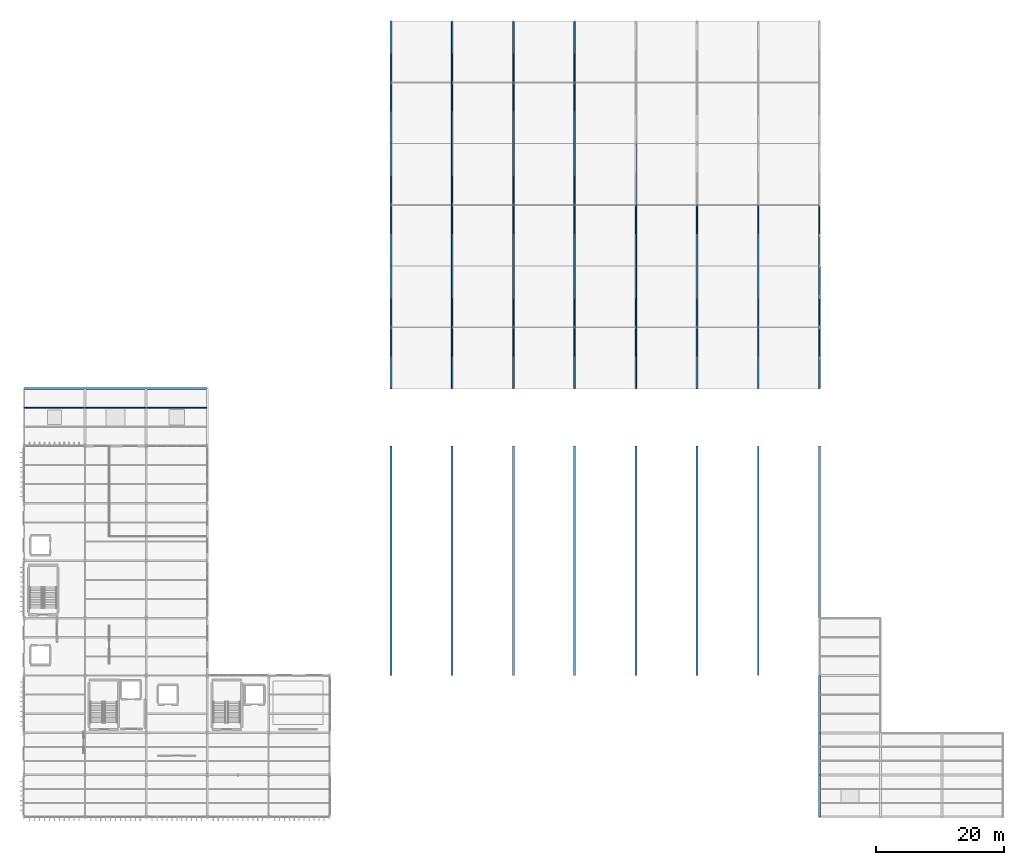
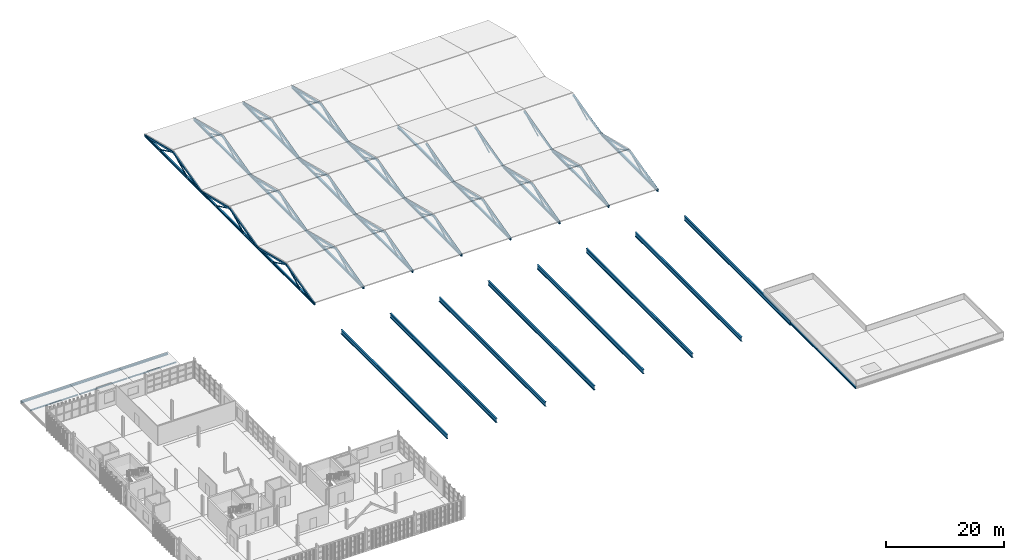
# One storey, part 15 of 52: 72 members, 34 beams.
"""IFC4 building model written with IfcOpenShell, lengths in metres."""

import ifcopenshell
import ifcopenshell.guid

model = None  # the IFC model being written
_history = None  # IfcOwnerHistory: only IFC2X3 demands one
_inside = {}  # id of a spatial element -> (the spatial element, [elements in it])
_under = {}  # id of a project, library or spatial element -> (it, [spatial elements below it])
_declared = {}  # id of a project -> (the project, [libraries it declares])
_typed = {}  # id of a type object -> (the type object, [elements of that type])
_made_of = {}  # id of a material, layer set ... -> (it, [elements and type objects made of it])


def new_model(schema):
    """Start an empty IFC model of exactly this schema.

    Asked for "IFC4X3", IfcOpenShell would pick the latest addendum, in which some entities
    have other attributes; the version numbers below select the first issue.
    IFC2X3 requires an IfcOwnerHistory on every rooted entity: one is made here for all.
    """
    global model, _history
    if schema == "IFC4X3":
        model = ifcopenshell.file(schema_version=(4, 3, 0, 0))
    else:
        model = ifcopenshell.file(schema=schema)
    _inside.clear()
    _under.clear()
    _declared.clear()
    _typed.clear()
    _made_of.clear()
    _history = None
    if model.schema == "IFC2X3":
        org = make("IfcOrganization", Name="unknown")
        user = make(
            "IfcPersonAndOrganization",
            ThePerson=make("IfcPerson", FamilyName="unknown"),
            TheOrganization=org,
        )
        app = make(
            "IfcApplication",
            ApplicationDeveloper=org,
            Version="unknown",
            ApplicationFullName="unknown",
            ApplicationIdentifier="unknown",
        )
        _history = make(
            "IfcOwnerHistory",
            OwningUser=user,
            OwningApplication=app,
            ChangeAction="ADDED",
            CreationDate=0,
        )
    return model


def make(cls, **values):
    """One entity of the class cls with the attributes given. An attribute that is None is left unset."""
    return model.create_entity(
        cls, **{name: value for name, value in values.items() if value is not None}
    )


def rooted(cls, **values):
    """An entity with a GlobalId (a new one), such as an element, a storey or a relation."""
    return make(cls, GlobalId=ifcopenshell.guid.new(), OwnerHistory=_history, **values)


def si_unit(unit_type, name, prefix=None):
    """IfcSIUnit, for example si_unit("LENGTHUNIT", "METRE", prefix="MILLI")."""
    return make("IfcSIUnit", UnitType=unit_type, Prefix=prefix, Name=name)


def assignment(units):
    """IfcUnitAssignment: the units of a project."""
    return None if units is None else make("IfcUnitAssignment", Units=units)


def point(xyz):
    """IfcCartesianPoint."""
    return None if xyz is None else make("IfcCartesianPoint", Coordinates=xyz)


def direction(xyz):
    """IfcDirection."""
    return None if xyz is None else make("IfcDirection", DirectionRatios=xyz)


def frame(location, z_axis=None, x_axis=None):
    """IfcAxis2Placement3D, a coordinate frame: its origin and axes. An axis left out is left unset."""
    return make(
        "IfcAxis2Placement3D",
        Location=point(location),
        Axis=direction(z_axis),
        RefDirection=direction(x_axis),
    )


def frame_2d(location, x_axis=None):
    """IfcAxis2Placement2D, a coordinate frame in the plane: its origin and x axis."""
    return make(
        "IfcAxis2Placement2D", Location=point(location), RefDirection=direction(x_axis)
    )


def origin():
    """The frame at (0, 0, 0) with its axes left unset."""
    return frame((0.0, 0.0, 0.0))


def origin_2d():
    """The frame at (0, 0) in the plane with its x axis left unset."""
    return frame_2d((0.0, 0.0))


def place(relative_to, where):
    """IfcLocalPlacement: puts the frame where relative to a parent placement (None: the world)."""
    return make(
        "IfcLocalPlacement", PlacementRelTo=relative_to, RelativePlacement=where
    )


def context(
    kind, dimensions, precision=None, world=None, true_north=None, identifier=None
):
    """IfcGeometricRepresentationContext, for example the 3D "Model" context."""
    return make(
        "IfcGeometricRepresentationContext",
        ContextIdentifier=identifier,
        ContextType=kind,
        CoordinateSpaceDimension=dimensions,
        Precision=precision,
        WorldCoordinateSystem=world,
        TrueNorth=true_north,
    )


def subcontext(parent, identifier, kind, view, scale=None):
    """IfcGeometricRepresentationSubContext, for example "Body" below "Model"."""
    return make(
        "IfcGeometricRepresentationSubContext",
        ContextIdentifier=identifier,
        ContextType=kind,
        ParentContext=parent,
        TargetScale=scale,
        TargetView=view,
    )


def project(units=None, contexts=None):
    """IfcProject with its units and contexts."""
    return rooted(
        "IfcProject",
        Name="project",
        RepresentationContexts=contexts,
        UnitsInContext=assignment(units),
    )


def spatial(cls, under=None, at=None, **own):
    """A site, building, storey or space (cls), placed at a placement, below another one or the project."""
    s = rooted(cls, ObjectPlacement=at, **own)
    if under is not None:
        _under.setdefault(under.id(), (under, []))[1].append(s)
    return s


def profile(cls, at=None, kind="AREA", **sizes):
    """A parametric profile (cls). Its sizes go by their IFC names, for example OverallWidth=200.0."""
    return make(cls, ProfileType=kind, Position=at, **sizes)


def hollow_rectangle(**sizes):
    """IfcRectangleHollowProfileDef."""
    return profile("IfcRectangleHollowProfileDef", **sizes)


def hollow_circle(**sizes):
    """IfcCircleHollowProfileDef."""
    return profile("IfcCircleHollowProfileDef", **sizes)


def i_section(**sizes):
    """IfcIShapeProfileDef."""
    return profile("IfcIShapeProfileDef", **sizes)


def extrude(swept, where, along, depth):
    """IfcExtrudedAreaSolid: the profile swept, set in the frame where, extruded along a direction by depth."""
    return make(
        "IfcExtrudedAreaSolid",
        SweptArea=swept,
        Position=where,
        ExtrudedDirection=direction(along),
        Depth=depth,
    )


def shape(context_of_items, identifier, shape_type, items):
    """IfcShapeRepresentation: the items that make up one representation, for example the "Body"."""
    return make(
        "IfcShapeRepresentation",
        ContextOfItems=context_of_items,
        RepresentationIdentifier=identifier,
        RepresentationType=shape_type,
        Items=items,
    )


def material(Name=None, Category=None):
    """IfcMaterial."""
    return make("IfcMaterial", Name=Name, Category=Category)


def material_profile(
    of_material, cross_section, Name=None, Category=None, Priority=None
):
    """IfcMaterialProfile: a cross section and its material."""
    return make(
        "IfcMaterialProfile",
        Name=Name,
        Material=of_material,
        Profile=cross_section,
        Priority=Priority,
        Category=Category,
    )


def profile_set(profiles, Name=None, composite=None):
    """IfcMaterialProfileSet."""
    return make(
        "IfcMaterialProfileSet",
        Name=Name,
        MaterialProfiles=profiles,
        CompositeProfile=composite,
    )


def made_of(thing, what):
    """Note that an element or type object is made of a material, layer set ...; save() writes the relation."""
    if what is not None:
        _made_of.setdefault(what.id(), (what, []))[1].append(thing)
    return thing


def type_object(cls, material=None, **own):
    """A type object (cls), such as IfcWallType, which elements share."""
    return made_of(rooted(cls, **own), material)


def element(
    cls,
    number,
    at=None,
    inside=None,
    cuts=None,
    type_object=None,
    material=None,
    context=None,
    identifier="Body",
    shape_type=None,
    held_by="IfcProductDefinitionShape",
    body=None,
    shapes=None,
    **own,
):
    """One element of the class cls, such as IfcWall. Its Tag is "e" and its number.

    at: its placement. inside: the storey or other place that contains it. cuts: it is an
    opening in that element (IfcRelVoidsElement). A single representation is given by context,
    identifier, shape_type and body (its items); several are given by shapes. held_by: the class
    of the entity that holds the representations. save() writes the other relations.
    """
    e = rooted(cls, Tag="e%d" % number, ObjectPlacement=at, **own)
    if body is not None:
        shapes = [shape(context, identifier, shape_type, body)]
    if shapes is not None:
        e.Representation = make(held_by, Representations=shapes)
    if inside is not None:
        _inside.setdefault(inside.id(), (inside, []))[1].append(e)
    if cuts is not None:
        rooted(
            "IfcRelVoidsElement", RelatingBuildingElement=cuts, RelatedOpeningElement=e
        )
    if type_object is not None:
        _typed.setdefault(type_object.id(), (type_object, []))[1].append(e)
    return made_of(e, material)


def aggregate(whole, parts):
    """IfcRelAggregates: a whole, such as a stair, and the parts it consists of."""
    return rooted("IfcRelAggregates", RelatingObject=whole, RelatedObjects=parts)


def save(model, path):
    """Write the relations noted so far, then the file.

    IfcRelAggregates (storeys below a building ...), IfcRelContainedInSpatialStructure (elements
    in a storey), IfcRelDefinesByType, IfcRelAssociatesMaterial and IfcRelDeclares: one each for
    every whole, place, type object, material and project.
    """
    for whole, parts in _under.values():
        aggregate(whole, parts)
    for where, things in _inside.values():
        rooted(
            "IfcRelContainedInSpatialStructure",
            RelatedElements=things,
            RelatingStructure=where,
        )
    for kind, things in _typed.values():
        rooted("IfcRelDefinesByType", RelatedObjects=things, RelatingType=kind)
    for what, things in _made_of.values():
        rooted("IfcRelAssociatesMaterial", RelatedObjects=things, RelatingMaterial=what)
    for by, libraries in _declared.values():
        rooted("IfcRelDeclares", RelatingContext=by, RelatedDefinitions=libraries)
    model.write(path)


model = new_model("IFC4")

# Units and contexts
model_context = context("Model", 3, precision=1e-05, world=origin(), true_north=direction((0.0, 1.0)))
body_context = subcontext(model_context, "Body", "Model", "MODEL_VIEW")
ifc_project = project(units=[si_unit("LENGTHUNIT", "METRE"), si_unit("AREAUNIT", "SQUARE_METRE"), si_unit("VOLUMEUNIT", "CUBIC_METRE"), si_unit("PLANEANGLEUNIT", "RADIAN"), si_unit("MASSUNIT", "GRAM", prefix="KILO")], contexts=[model_context])

# Site, building, storey
site_placement = place(None, origin())
site = spatial("IfcSite", under=ifc_project, at=site_placement, CompositionType="ELEMENT")
building_placement = place(site_placement, origin())
building = spatial("IfcBuilding", under=site, at=building_placement, Name="Zarnetskaya Central Station", CompositionType="ELEMENT")
storey_placement = place(building_placement, frame((0.0, 0.0, 14.39990234375)))
storey = spatial("IfcBuildingStorey", under=building, at=storey_placement, Name="L03", CompositionType="ELEMENT", Elevation=14.39990234375)

# Beams
ifc_material = material(Name="Steel S355", Category="steel")
ifc_material_profile_1 = material_profile(ifc_material, i_section(OverallWidth=0.135009765625, OverallDepth=0.27001953125, WebThickness=0.006591796875, FlangeThickness=0.01025390625, FilletRadius=0.014892578125, at=origin_2d()), Name="IPE 270")
ifc_profile_set_1 = profile_set([ifc_material_profile_1], Name="Steel S355")
beam_type_1 = type_object("IfcBeamType", Name="BM-JST-270", PredefinedType="JOIST", material=ifc_profile_set_1)
beam_1_placement = place(storey_placement, frame((0.080078125, 64.199951171875, -0.344970703125), z_axis=(1.0, 0.0, 0.0), x_axis=(0.0, 1.0, 0.0)))
element("IfcBeam", 1, at=beam_1_placement, inside=storey, type_object=beam_type_1, Name="Secondary floor beam SEC-L03-Z1419-AB-89-2", PredefinedType="JOIST", context=body_context, shape_type="SweptSolid", body=[
    extrude(i_section(OverallWidth=0.135009765625, OverallDepth=0.27001953125, WebThickness=0.006591796875, FlangeThickness=0.01025390625, FilletRadius=0.014892578125, at=origin_2d()), origin(), (0.0, 0.0, 1.0), 9.43994140625),
])
beam_2_placement = place(storey_placement, frame((9.679931640625, 64.199951171875, -0.344970703125), z_axis=(1.0, 0.0, 0.0), x_axis=(0.0, 1.0, 0.0)))
element("IfcBeam", 2, at=beam_2_placement, inside=storey, type_object=beam_type_1, Name="Secondary floor beam SEC-L03-Z1419-BC-89-2", PredefinedType="JOIST", context=body_context, shape_type="SweptSolid", body=[
    extrude(i_section(OverallWidth=0.135009765625, OverallDepth=0.27001953125, WebThickness=0.006591796875, FlangeThickness=0.01025390625, FilletRadius=0.014892578125, at=origin_2d()), origin(), (0.0, 0.0, 1.0), 9.440185546875),
])
beam_3_placement = place(storey_placement, frame((19.280029296875, 64.199951171875, -0.344970703125), z_axis=(1.0, 0.0, 0.0), x_axis=(0.0, 1.0, 0.0)))
element("IfcBeam", 3, at=beam_3_placement, inside=storey, type_object=beam_type_1, Name="Secondary floor beam SEC-L03-Z1419-CD-89-2", PredefinedType="JOIST", context=body_context, shape_type="SweptSolid", body=[
    extrude(i_section(OverallWidth=0.135009765625, OverallDepth=0.27001953125, WebThickness=0.006591796875, FlangeThickness=0.01025390625, FilletRadius=0.014892578125, at=origin_2d()), origin(), (0.0, 0.0, 1.0), 9.43994140625),
])
ifc_material_profile_2 = material_profile(ifc_material, i_section(OverallWidth=0.300048828125, OverallDepth=0.89990234375, WebThickness=0.0185546875, FlangeThickness=0.034912109375, FilletRadius=0.030029296875, at=origin_2d()), Name="HEB 900")
ifc_profile_set_2 = profile_set([ifc_material_profile_2], Name="Steel S355")
beam_type_2 = type_object("IfcBeamType", Name="GD-HALL-RING", PredefinedType="USERDEFINED", material=ifc_profile_set_2)
for number, where, z_axis, x_axis, name in (
    (4, (57.60009765625, 22.199951171875, -0.449951171875), (0.0, 1.0, 0.0), (-1.0, 0.0, 0.0), "ROOF TRUSS RT-01 tie girder"),
    (5, (67.199951171875, 22.199951171875, -0.449951171875), (0.0, 1.0, 0.0), (-1.0, 0.0, 0.0), "ROOF TRUSS RT-02 tie girder"),
    (6, (76.800048828125, 22.199951171875, -0.449951171875), (0.0, 1.0, 0.0), (-1.0, 0.0, 0.0), "ROOF TRUSS RT-03 tie girder"),
    (7, (86.39990234375, 22.199951171875, -0.449951171875), (0.0, 1.0, 0.0), (-1.0, 0.0, 0.0), "ROOF TRUSS RT-04 tie girder"),
    (8, (96.0, 22.199951171875, -0.449951171875), (0.0, 1.0, 0.0), (-1.0, 0.0, 0.0), "ROOF TRUSS RT-05 tie girder"),
    (9, (105.60009765625, 22.199951171875, -0.449951171875), (0.0, 1.0, 0.0), (-1.0, 0.0, 0.0), "ROOF TRUSS RT-06 tie girder"),
    (10, (115.199951171875, 22.199951171875, -0.449951171875), (0.0, 1.0, 0.0), (-1.0, 0.0, 0.0), "ROOF TRUSS RT-07 tie girder"),
    (11, (124.800048828125, 22.199951171875, -0.449951171875), (0.0, 1.0, 0.0), (-1.0, 0.0, 0.0), "ROOF TRUSS RT-08 tie girder"),
):
    element("IfcBeam", number, at=place(storey_placement, frame(where, z_axis=z_axis, x_axis=x_axis)), inside=storey, type_object=beam_type_2, Name=name, ObjectType="GIRDER", PredefinedType="USERDEFINED", context=body_context, shape_type="SweptSolid", body=[
        extrude(i_section(OverallWidth=0.300048828125, OverallDepth=0.89990234375, WebThickness=0.0185546875, FlangeThickness=0.034912109375, FilletRadius=0.030029296875, at=origin_2d()), origin(), (0.0, 0.0, 1.0), 36.0),
    ])
ifc_material_profile_3 = material_profile(ifc_material, i_section(OverallWidth=0.300048828125, OverallDepth=0.389892578125, WebThickness=0.010986328125, FlangeThickness=0.01904296875, FilletRadius=0.027099609375, at=origin_2d()), Name="HEA 400")
ifc_profile_set_3 = profile_set([ifc_material_profile_3], Name="Steel S355")
beam_type_3 = type_object("IfcBeamType", Name="GD-ROOF-400", PredefinedType="USERDEFINED", material=ifc_profile_set_3)
beam_4_placement = place(storey_placement, frame((0.0, 67.199951171875, -0.40478515625), z_axis=(1.0, 0.0, 0.0), x_axis=(0.0, 1.0, 0.0)))
element("IfcBeam", 12, at=beam_4_placement, inside=storey, type_object=beam_type_3, Name="Grid girder GX-L03-9-AB", ObjectType="GIRDER", PredefinedType="USERDEFINED", context=body_context, shape_type="SweptSolid", body=[
    extrude(i_section(OverallWidth=0.300048828125, OverallDepth=0.389892578125, WebThickness=0.010986328125, FlangeThickness=0.01904296875, FilletRadius=0.027099609375, at=origin_2d()), origin(), (0.0, 0.0, 1.0), 9.60009765625),
])
beam_5_placement = place(storey_placement, frame((9.60009765625, 67.199951171875, -0.40478515625), z_axis=(1.0, 0.0, 0.0), x_axis=(0.0, 1.0, 0.0)))
element("IfcBeam", 13, at=beam_5_placement, inside=storey, type_object=beam_type_3, Name="Grid girder GX-L03-9-BC", ObjectType="GIRDER", PredefinedType="USERDEFINED", context=body_context, shape_type="SweptSolid", body=[
    extrude(i_section(OverallWidth=0.300048828125, OverallDepth=0.389892578125, WebThickness=0.010986328125, FlangeThickness=0.01904296875, FilletRadius=0.027099609375, at=origin_2d()), origin(), (0.0, 0.0, 1.0), 9.599853515625),
])
beam_6_placement = place(storey_placement, frame((19.199951171875, 67.199951171875, -0.40478515625), z_axis=(1.0, 0.0, 0.0), x_axis=(0.0, 1.0, 0.0)))
element("IfcBeam", 14, at=beam_6_placement, inside=storey, type_object=beam_type_3, Name="Grid girder GX-L03-9-CD", ObjectType="GIRDER", PredefinedType="USERDEFINED", context=body_context, shape_type="SweptSolid", body=[
    extrude(i_section(OverallWidth=0.300048828125, OverallDepth=0.389892578125, WebThickness=0.010986328125, FlangeThickness=0.01904296875, FilletRadius=0.027099609375, at=origin_2d()), origin(), (0.0, 0.0, 1.0), 9.60009765625),
])
beam_7_placement = place(storey_placement, frame((124.800048828125, 0.0, -0.40478515625), z_axis=(0.0, 1.0, 0.0), x_axis=(-1.0, 0.0, 0.0)))
element("IfcBeam", 15, at=beam_7_placement, inside=storey, type_object=beam_type_3, Name="Grid girder GY-L03-P-12", ObjectType="GIRDER", PredefinedType="USERDEFINED", context=body_context, shape_type="SweptSolid", body=[
    extrude(i_section(OverallWidth=0.300048828125, OverallDepth=0.389892578125, WebThickness=0.010986328125, FlangeThickness=0.01904296875, FilletRadius=0.027099609375, at=origin_2d()), origin(), (0.0, 0.0, 1.0), 6.60009765625),
])
beam_8_placement = place(storey_placement, frame((124.800048828125, 6.60009765625, -0.40478515625), z_axis=(0.0, 1.0, 0.0), x_axis=(-1.0, 0.0, 0.0)))
element("IfcBeam", 16, at=beam_8_placement, inside=storey, type_object=beam_type_3, Name="Grid girder GY-L03-P-23", ObjectType="GIRDER", PredefinedType="USERDEFINED", context=body_context, shape_type="SweptSolid", body=[
    extrude(i_section(OverallWidth=0.300048828125, OverallDepth=0.389892578125, WebThickness=0.010986328125, FlangeThickness=0.01904296875, FilletRadius=0.027099609375, at=origin_2d()), origin(), (0.0, 0.0, 1.0), 6.599853515625),
])
beam_9_placement = place(storey_placement, frame((124.800048828125, 13.199951171875, -0.40478515625), z_axis=(0.0, 1.0, 0.0), x_axis=(-1.0, 0.0, 0.0)))
element("IfcBeam", 17, at=beam_9_placement, inside=storey, type_object=beam_type_3, Name="Grid girder GY-L03-P-34", ObjectType="GIRDER", PredefinedType="USERDEFINED", context=body_context, shape_type="SweptSolid", body=[
    extrude(i_section(OverallWidth=0.300048828125, OverallDepth=0.389892578125, WebThickness=0.010986328125, FlangeThickness=0.01904296875, FilletRadius=0.027099609375, at=origin_2d()), origin(), (0.0, 0.0, 1.0), 9.0),
])
ifc_material_profile_4 = material_profile(ifc_material, i_section(OverallWidth=0.300048828125, OverallDepth=0.489990234375, WebThickness=0.011962890625, FlangeThickness=0.02294921875, FilletRadius=0.027099609375, at=origin_2d()), Name="HEA 500")
ifc_profile_set_4 = profile_set([ifc_material_profile_4], Name="Steel S355")
beam_type_4 = type_object("IfcBeamType", Name="GD-SHED-500", PredefinedType="USERDEFINED", material=ifc_profile_set_4)
for number, where, z_axis, x_axis, name in (
    (18, (57.60009765625, 67.199951171875, -0.25), (0.0, 1.0, 0.0), (-1.0, 0.0, 0.0), "ROOF TRUSS SHED-SV1-01 tie beam"),
    (19, (67.199951171875, 67.199951171875, -0.25), (0.0, 1.0, 0.0), (-1.0, 0.0, 0.0), "ROOF TRUSS SHED-SV1-02 tie beam"),
    (20, (76.800048828125, 67.199951171875, -0.25), (0.0, 1.0, 0.0), (-1.0, 0.0, 0.0), "ROOF TRUSS SHED-SV1-03 tie beam"),
    (21, (86.39990234375, 67.199951171875, -0.25), (0.0, 1.0, 0.0), (-1.0, 0.0, 0.0), "ROOF TRUSS SHED-SV1-04 tie beam"),
    (22, (96.0, 67.199951171875, -0.25), (0.0, 1.0, 0.0), (-1.0, 0.0, 0.0), "ROOF TRUSS SHED-SV1-05 tie beam"),
    (23, (105.60009765625, 67.199951171875, -0.25), (0.0, 1.0, 0.0), (-1.0, 0.0, 0.0), "ROOF TRUSS SHED-SV1-06 tie beam"),
    (24, (115.199951171875, 67.199951171875, -0.25), (0.0, 1.0, 0.0), (-1.0, 0.0, 0.0), "ROOF TRUSS SHED-SV1-07 tie beam"),
    (25, (124.800048828125, 67.199951171875, -0.25), (0.0, 1.0, 0.0), (-1.0, 0.0, 0.0), "ROOF TRUSS SHED-SV1-08 tie beam"),
):
    element("IfcBeam", number, at=place(storey_placement, frame(where, z_axis=z_axis, x_axis=x_axis)), inside=storey, type_object=beam_type_4, Name=name, ObjectType="GIRDER", PredefinedType="USERDEFINED", context=body_context, shape_type="SweptSolid", body=[
        extrude(i_section(OverallWidth=0.300048828125, OverallDepth=0.489990234375, WebThickness=0.011962890625, FlangeThickness=0.02294921875, FilletRadius=0.027099609375, at=origin_2d()), origin(), (0.0, 0.0, 1.0), 19.199951171875),
    ])
for number, where, z_axis, x_axis, name in (
    (26, (57.60009765625, 86.39990234375, -0.25), (0.0, 1.0, 0.0), (-1.0, 0.0, 0.0), "ROOF TRUSS SHED-SV2-01 tie beam"),
    (27, (67.199951171875, 86.39990234375, -0.25), (0.0, 1.0, 0.0), (-1.0, 0.0, 0.0), "ROOF TRUSS SHED-SV2-02 tie beam"),
    (28, (76.800048828125, 86.39990234375, -0.25), (0.0, 1.0, 0.0), (-1.0, 0.0, 0.0), "ROOF TRUSS SHED-SV2-03 tie beam"),
    (29, (86.39990234375, 86.39990234375, -0.25), (0.0, 1.0, 0.0), (-1.0, 0.0, 0.0), "ROOF TRUSS SHED-SV2-04 tie beam"),
    (30, (96.0, 86.39990234375, -0.25), (0.0, 1.0, 0.0), (-1.0, 0.0, 0.0), "ROOF TRUSS SHED-SV2-05 tie beam"),
):
    element("IfcBeam", number, at=place(storey_placement, frame(where, z_axis=z_axis, x_axis=x_axis)), inside=storey, type_object=beam_type_4, Name=name, ObjectType="GIRDER", PredefinedType="USERDEFINED", context=body_context, shape_type="SweptSolid", body=[
        extrude(i_section(OverallWidth=0.300048828125, OverallDepth=0.489990234375, WebThickness=0.011962890625, FlangeThickness=0.02294921875, FilletRadius=0.027099609375, at=origin_2d()), origin(), (0.0, 0.0, 1.0), 19.2001953125),
    ])
for number, where, z_axis, x_axis, name in (
    (31, (57.60009765625, 105.60009765625, -0.25), (0.0, 1.0, 0.0), (-1.0, 0.0, 0.0), "ROOF TRUSS SHED-SV3-01 tie beam"),
    (32, (67.199951171875, 105.60009765625, -0.25), (0.0, 1.0, 0.0), (-1.0, 0.0, 0.0), "ROOF TRUSS SHED-SV3-02 tie beam"),
    (33, (76.800048828125, 105.60009765625, -0.25), (0.0, 1.0, 0.0), (-1.0, 0.0, 0.0), "ROOF TRUSS SHED-SV3-03 tie beam"),
    (34, (86.39990234375, 105.60009765625, -0.25), (0.0, 1.0, 0.0), (-1.0, 0.0, 0.0), "ROOF TRUSS SHED-SV3-04 tie beam"),
):
    element("IfcBeam", number, at=place(storey_placement, frame(where, z_axis=z_axis, x_axis=x_axis)), inside=storey, type_object=beam_type_4, Name=name, ObjectType="GIRDER", PredefinedType="USERDEFINED", context=body_context, shape_type="SweptSolid", body=[
        extrude(i_section(OverallWidth=0.300048828125, OverallDepth=0.489990234375, WebThickness=0.011962890625, FlangeThickness=0.02294921875, FilletRadius=0.027099609375, at=origin_2d()), origin(), (0.0, 0.0, 1.0), 19.199951171875),
    ])

# Members
ifc_material_profile_5 = material_profile(ifc_material, hollow_rectangle(XDim=0.25, YDim=0.35009765625, WallThickness=0.01611328125, at=origin_2d()), Name="RHS 350x250x16")
ifc_profile_set_5 = profile_set([ifc_material_profile_5], Name="Steel S355")
member_type_1 = type_object("IfcMemberType", Name="MB-SHED-CHORD", PredefinedType="CHORD", material=ifc_profile_set_5)
member_1_placement = place(storey_placement, frame((57.60009765625, 67.199951171875, -0.25), z_axis=(0.0, 0.972478594308, 0.232992239382), x_axis=(-1.0, 0.0, 0.0)))
element("IfcMember", 35, at=member_1_placement, inside=storey, type_object=member_type_1, Name="ROOF TRUSS SHED-SV1-01 south chord", PredefinedType="CHORD", context=body_context, shape_type="SweptSolid", body=[
    extrude(hollow_rectangle(XDim=0.25, YDim=0.35009765625, WallThickness=0.01611328125, at=origin_2d()), origin(), (0.0, 0.0, 1.0), 9.871826171875),
])
member_2_placement = place(storey_placement, frame((57.60009765625, 76.800048828125, 2.050048828125), z_axis=(0.0, 0.972477251719, -0.232997843098), x_axis=(-1.0, 0.0, 0.0)))
element("IfcMember", 36, at=member_2_placement, inside=storey, type_object=member_type_1, Name="ROOF TRUSS SHED-SV1-01 north chord", PredefinedType="CHORD", context=body_context, shape_type="SweptSolid", body=[
    extrude(hollow_rectangle(XDim=0.25, YDim=0.35009765625, WallThickness=0.01611328125, at=origin_2d()), origin(), (0.0, 0.0, 1.0), 9.87158203125),
])
member_3_placement = place(storey_placement, frame((67.199951171875, 67.199951171875, -0.25), z_axis=(0.0, 0.972478594308, 0.232992239382), x_axis=(-1.0, 0.0, 0.0)))
element("IfcMember", 37, at=member_3_placement, inside=storey, type_object=member_type_1, Name="ROOF TRUSS SHED-SV1-02 south chord", PredefinedType="CHORD", context=body_context, shape_type="SweptSolid", body=[
    extrude(hollow_rectangle(XDim=0.25, YDim=0.35009765625, WallThickness=0.01611328125, at=origin_2d()), origin(), (0.0, 0.0, 1.0), 9.871826171875),
])
member_4_placement = place(storey_placement, frame((67.199951171875, 76.800048828125, 2.050048828125), z_axis=(0.0, 0.972477251719, -0.232997843098), x_axis=(-1.0, 0.0, 0.0)))
element("IfcMember", 38, at=member_4_placement, inside=storey, type_object=member_type_1, Name="ROOF TRUSS SHED-SV1-02 north chord", PredefinedType="CHORD", context=body_context, shape_type="SweptSolid", body=[
    extrude(hollow_rectangle(XDim=0.25, YDim=0.35009765625, WallThickness=0.01611328125, at=origin_2d()), origin(), (0.0, 0.0, 1.0), 9.87158203125),
])
member_5_placement = place(storey_placement, frame((76.800048828125, 67.199951171875, -0.25), z_axis=(0.0, 0.972478594308, 0.232992239382), x_axis=(-1.0, 0.0, 0.0)))
element("IfcMember", 39, at=member_5_placement, inside=storey, type_object=member_type_1, Name="ROOF TRUSS SHED-SV1-03 south chord", PredefinedType="CHORD", context=body_context, shape_type="SweptSolid", body=[
    extrude(hollow_rectangle(XDim=0.25, YDim=0.35009765625, WallThickness=0.01611328125, at=origin_2d()), origin(), (0.0, 0.0, 1.0), 9.871826171875),
])
member_6_placement = place(storey_placement, frame((76.800048828125, 76.800048828125, 2.050048828125), z_axis=(0.0, 0.972477251719, -0.232997843098), x_axis=(-1.0, 0.0, 0.0)))
element("IfcMember", 40, at=member_6_placement, inside=storey, type_object=member_type_1, Name="ROOF TRUSS SHED-SV1-03 north chord", PredefinedType="CHORD", context=body_context, shape_type="SweptSolid", body=[
    extrude(hollow_rectangle(XDim=0.25, YDim=0.35009765625, WallThickness=0.01611328125, at=origin_2d()), origin(), (0.0, 0.0, 1.0), 9.87158203125),
])
member_7_placement = place(storey_placement, frame((86.39990234375, 67.199951171875, -0.25), z_axis=(0.0, 0.972478594308, 0.232992239382), x_axis=(-1.0, 0.0, 0.0)))
element("IfcMember", 41, at=member_7_placement, inside=storey, type_object=member_type_1, Name="ROOF TRUSS SHED-SV1-04 south chord", PredefinedType="CHORD", context=body_context, shape_type="SweptSolid", body=[
    extrude(hollow_rectangle(XDim=0.25, YDim=0.35009765625, WallThickness=0.01611328125, at=origin_2d()), origin(), (0.0, 0.0, 1.0), 9.871826171875),
])
member_8_placement = place(storey_placement, frame((86.39990234375, 76.800048828125, 2.050048828125), z_axis=(0.0, 0.972477251719, -0.232997843098), x_axis=(-1.0, 0.0, 0.0)))
element("IfcMember", 42, at=member_8_placement, inside=storey, type_object=member_type_1, Name="ROOF TRUSS SHED-SV1-04 north chord", PredefinedType="CHORD", context=body_context, shape_type="SweptSolid", body=[
    extrude(hollow_rectangle(XDim=0.25, YDim=0.35009765625, WallThickness=0.01611328125, at=origin_2d()), origin(), (0.0, 0.0, 1.0), 9.87158203125),
])
member_9_placement = place(storey_placement, frame((96.0, 67.199951171875, -0.25), z_axis=(0.0, 0.972478594308, 0.232992239382), x_axis=(-1.0, 0.0, 0.0)))
element("IfcMember", 43, at=member_9_placement, inside=storey, type_object=member_type_1, Name="ROOF TRUSS SHED-SV1-05 south chord", PredefinedType="CHORD", context=body_context, shape_type="SweptSolid", body=[
    extrude(hollow_rectangle(XDim=0.25, YDim=0.35009765625, WallThickness=0.01611328125, at=origin_2d()), origin(), (0.0, 0.0, 1.0), 9.871826171875),
])
member_10_placement = place(storey_placement, frame((96.0, 76.800048828125, 2.050048828125), z_axis=(0.0, 0.972477251719, -0.232997843098), x_axis=(-1.0, 0.0, 0.0)))
element("IfcMember", 44, at=member_10_placement, inside=storey, type_object=member_type_1, Name="ROOF TRUSS SHED-SV1-05 north chord", PredefinedType="CHORD", context=body_context, shape_type="SweptSolid", body=[
    extrude(hollow_rectangle(XDim=0.25, YDim=0.35009765625, WallThickness=0.01611328125, at=origin_2d()), origin(), (0.0, 0.0, 1.0), 9.87158203125),
])
member_11_placement = place(storey_placement, frame((105.60009765625, 67.199951171875, -0.25), z_axis=(0.0, 0.972478594308, 0.232992239382), x_axis=(-1.0, 0.0, 0.0)))
element("IfcMember", 45, at=member_11_placement, inside=storey, type_object=member_type_1, Name="ROOF TRUSS SHED-SV1-06 south chord", PredefinedType="CHORD", context=body_context, shape_type="SweptSolid", body=[
    extrude(hollow_rectangle(XDim=0.25, YDim=0.35009765625, WallThickness=0.01611328125, at=origin_2d()), origin(), (0.0, 0.0, 1.0), 9.871826171875),
])
member_12_placement = place(storey_placement, frame((105.60009765625, 76.800048828125, 2.050048828125), z_axis=(0.0, 0.972477251719, -0.232997843098), x_axis=(-1.0, 0.0, 0.0)))
element("IfcMember", 46, at=member_12_placement, inside=storey, type_object=member_type_1, Name="ROOF TRUSS SHED-SV1-06 north chord", PredefinedType="CHORD", context=body_context, shape_type="SweptSolid", body=[
    extrude(hollow_rectangle(XDim=0.25, YDim=0.35009765625, WallThickness=0.01611328125, at=origin_2d()), origin(), (0.0, 0.0, 1.0), 9.87158203125),
])
member_13_placement = place(storey_placement, frame((115.199951171875, 67.199951171875, -0.25), z_axis=(0.0, 0.972478594308, 0.232992239382), x_axis=(-1.0, 0.0, 0.0)))
element("IfcMember", 47, at=member_13_placement, inside=storey, type_object=member_type_1, Name="ROOF TRUSS SHED-SV1-07 south chord", PredefinedType="CHORD", context=body_context, shape_type="SweptSolid", body=[
    extrude(hollow_rectangle(XDim=0.25, YDim=0.35009765625, WallThickness=0.01611328125, at=origin_2d()), origin(), (0.0, 0.0, 1.0), 9.871826171875),
])
member_14_placement = place(storey_placement, frame((115.199951171875, 76.800048828125, 2.050048828125), z_axis=(0.0, 0.972477251719, -0.232997843098), x_axis=(-1.0, 0.0, 0.0)))
element("IfcMember", 48, at=member_14_placement, inside=storey, type_object=member_type_1, Name="ROOF TRUSS SHED-SV1-07 north chord", PredefinedType="CHORD", context=body_context, shape_type="SweptSolid", body=[
    extrude(hollow_rectangle(XDim=0.25, YDim=0.35009765625, WallThickness=0.01611328125, at=origin_2d()), origin(), (0.0, 0.0, 1.0), 9.87158203125),
])
member_15_placement = place(storey_placement, frame((124.800048828125, 67.199951171875, -0.25), z_axis=(0.0, 0.972478594308, 0.232992239382), x_axis=(-1.0, 0.0, 0.0)))
element("IfcMember", 49, at=member_15_placement, inside=storey, type_object=member_type_1, Name="ROOF TRUSS SHED-SV1-08 south chord", PredefinedType="CHORD", context=body_context, shape_type="SweptSolid", body=[
    extrude(hollow_rectangle(XDim=0.25, YDim=0.35009765625, WallThickness=0.01611328125, at=origin_2d()), origin(), (0.0, 0.0, 1.0), 9.871826171875),
])
member_16_placement = place(storey_placement, frame((124.800048828125, 76.800048828125, 2.050048828125), z_axis=(0.0, 0.972477251719, -0.232997843098), x_axis=(-1.0, 0.0, 0.0)))
element("IfcMember", 50, at=member_16_placement, inside=storey, type_object=member_type_1, Name="ROOF TRUSS SHED-SV1-08 north chord", PredefinedType="CHORD", context=body_context, shape_type="SweptSolid", body=[
    extrude(hollow_rectangle(XDim=0.25, YDim=0.35009765625, WallThickness=0.01611328125, at=origin_2d()), origin(), (0.0, 0.0, 1.0), 9.87158203125),
])
for number, where, z_axis, x_axis, name in (
    (51, (57.60009765625, 86.39990234375, -0.25), (0.0, 0.972478594308, 0.232992239382), (-1.0, 0.0, 0.0), "ROOF TRUSS SHED-SV2-01 south chord"),
    (52, (57.60009765625, 96.0, 2.050048828125), (0.0, 0.972478594308, -0.232992239382), (-1.0, 0.0, 0.0), "ROOF TRUSS SHED-SV2-01 north chord"),
    (53, (67.199951171875, 86.39990234375, -0.25), (0.0, 0.972478594308, 0.232992239382), (-1.0, 0.0, 0.0), "ROOF TRUSS SHED-SV2-02 south chord"),
    (54, (67.199951171875, 96.0, 2.050048828125), (0.0, 0.972478594308, -0.232992239382), (-1.0, 0.0, 0.0), "ROOF TRUSS SHED-SV2-02 north chord"),
    (55, (76.800048828125, 86.39990234375, -0.25), (0.0, 0.972478594308, 0.232992239382), (-1.0, 0.0, 0.0), "ROOF TRUSS SHED-SV2-03 south chord"),
    (56, (76.800048828125, 96.0, 2.050048828125), (0.0, 0.972478594308, -0.232992239382), (-1.0, 0.0, 0.0), "ROOF TRUSS SHED-SV2-03 north chord"),
    (57, (86.39990234375, 86.39990234375, -0.25), (0.0, 0.972478594308, 0.232992239382), (-1.0, 0.0, 0.0), "ROOF TRUSS SHED-SV2-04 south chord"),
    (58, (86.39990234375, 96.0, 2.050048828125), (0.0, 0.972478594308, -0.232992239382), (-1.0, 0.0, 0.0), "ROOF TRUSS SHED-SV2-04 north chord"),
    (59, (96.0, 86.39990234375, -0.25), (0.0, 0.972478594308, 0.232992239382), (-1.0, 0.0, 0.0), "ROOF TRUSS SHED-SV2-05 south chord"),
    (60, (105.60009765625, 86.39990234375, -0.25), (0.0, 0.972478594308, 0.232992239382), (-1.0, 0.0, 0.0), "ROOF TRUSS SHED-SV2-06 south chord"),
    (61, (115.199951171875, 86.39990234375, -0.25), (0.0, 0.972478594308, 0.232992239382), (-1.0, 0.0, 0.0), "ROOF TRUSS SHED-SV2-07 south chord"),
    (62, (124.800048828125, 86.39990234375, -0.25), (0.0, 0.972478594308, 0.232992239382), (-1.0, 0.0, 0.0), "ROOF TRUSS SHED-SV2-08 south chord"),
):
    element("IfcMember", number, at=place(storey_placement, frame(where, z_axis=z_axis, x_axis=x_axis)), inside=storey, type_object=member_type_1, Name=name, PredefinedType="CHORD", context=body_context, shape_type="SweptSolid", body=[
        extrude(hollow_rectangle(XDim=0.25, YDim=0.35009765625, WallThickness=0.01611328125, at=origin_2d()), origin(), (0.0, 0.0, 1.0), 9.871826171875),
    ])
member_17_placement = place(storey_placement, frame((57.60009765625, 105.60009765625, -0.25), z_axis=(0.0, 0.972477251719, 0.232997843098), x_axis=(-1.0, 0.0, 0.0)))
element("IfcMember", 63, at=member_17_placement, inside=storey, type_object=member_type_1, Name="ROOF TRUSS SHED-SV3-01 south chord", PredefinedType="CHORD", context=body_context, shape_type="SweptSolid", body=[
    extrude(hollow_rectangle(XDim=0.25, YDim=0.35009765625, WallThickness=0.01611328125, at=origin_2d()), origin(), (0.0, 0.0, 1.0), 9.87158203125),
])
member_18_placement = place(storey_placement, frame((57.60009765625, 115.199951171875, 2.050048828125), z_axis=(0.0, 0.972478594308, -0.232992239382), x_axis=(-1.0, 0.0, 0.0)))
element("IfcMember", 64, at=member_18_placement, inside=storey, type_object=member_type_1, Name="ROOF TRUSS SHED-SV3-01 north chord", PredefinedType="CHORD", context=body_context, shape_type="SweptSolid", body=[
    extrude(hollow_rectangle(XDim=0.25, YDim=0.35009765625, WallThickness=0.01611328125, at=origin_2d()), origin(), (0.0, 0.0, 1.0), 9.871826171875),
])
member_19_placement = place(storey_placement, frame((67.199951171875, 105.60009765625, -0.25), z_axis=(0.0, 0.972477251719, 0.232997843098), x_axis=(-1.0, 0.0, 0.0)))
element("IfcMember", 65, at=member_19_placement, inside=storey, type_object=member_type_1, Name="ROOF TRUSS SHED-SV3-02 south chord", PredefinedType="CHORD", context=body_context, shape_type="SweptSolid", body=[
    extrude(hollow_rectangle(XDim=0.25, YDim=0.35009765625, WallThickness=0.01611328125, at=origin_2d()), origin(), (0.0, 0.0, 1.0), 9.87158203125),
])
member_20_placement = place(storey_placement, frame((67.199951171875, 115.199951171875, 2.050048828125), z_axis=(0.0, 0.972478594308, -0.232992239382), x_axis=(-1.0, 0.0, 0.0)))
element("IfcMember", 66, at=member_20_placement, inside=storey, type_object=member_type_1, Name="ROOF TRUSS SHED-SV3-02 north chord", PredefinedType="CHORD", context=body_context, shape_type="SweptSolid", body=[
    extrude(hollow_rectangle(XDim=0.25, YDim=0.35009765625, WallThickness=0.01611328125, at=origin_2d()), origin(), (0.0, 0.0, 1.0), 9.871826171875),
])
member_21_placement = place(storey_placement, frame((76.800048828125, 105.60009765625, -0.25), z_axis=(0.0, 0.972477251719, 0.232997843098), x_axis=(-1.0, 0.0, 0.0)))
element("IfcMember", 67, at=member_21_placement, inside=storey, type_object=member_type_1, Name="ROOF TRUSS SHED-SV3-03 south chord", PredefinedType="CHORD", context=body_context, shape_type="SweptSolid", body=[
    extrude(hollow_rectangle(XDim=0.25, YDim=0.35009765625, WallThickness=0.01611328125, at=origin_2d()), origin(), (0.0, 0.0, 1.0), 9.87158203125),
])
member_22_placement = place(storey_placement, frame((76.800048828125, 115.199951171875, 2.050048828125), z_axis=(0.0, 0.972478594308, -0.232992239382), x_axis=(-1.0, 0.0, 0.0)))
element("IfcMember", 68, at=member_22_placement, inside=storey, type_object=member_type_1, Name="ROOF TRUSS SHED-SV3-03 north chord", PredefinedType="CHORD", context=body_context, shape_type="SweptSolid", body=[
    extrude(hollow_rectangle(XDim=0.25, YDim=0.35009765625, WallThickness=0.01611328125, at=origin_2d()), origin(), (0.0, 0.0, 1.0), 9.871826171875),
])
member_23_placement = place(storey_placement, frame((86.39990234375, 105.60009765625, -0.25), z_axis=(0.0, 0.972477251719, 0.232997843098), x_axis=(-1.0, 0.0, 0.0)))
element("IfcMember", 69, at=member_23_placement, inside=storey, type_object=member_type_1, Name="ROOF TRUSS SHED-SV3-04 south chord", PredefinedType="CHORD", context=body_context, shape_type="SweptSolid", body=[
    extrude(hollow_rectangle(XDim=0.25, YDim=0.35009765625, WallThickness=0.01611328125, at=origin_2d()), origin(), (0.0, 0.0, 1.0), 9.87158203125),
])
member_24_placement = place(storey_placement, frame((86.39990234375, 115.199951171875, 2.050048828125), z_axis=(0.0, 0.972478594308, -0.232992239382), x_axis=(-1.0, 0.0, 0.0)))
element("IfcMember", 70, at=member_24_placement, inside=storey, type_object=member_type_1, Name="ROOF TRUSS SHED-SV3-04 north chord", PredefinedType="CHORD", context=body_context, shape_type="SweptSolid", body=[
    extrude(hollow_rectangle(XDim=0.25, YDim=0.35009765625, WallThickness=0.01611328125, at=origin_2d()), origin(), (0.0, 0.0, 1.0), 9.871826171875),
])
ifc_material_profile_6 = material_profile(ifc_material, hollow_circle(Radius=0.109619140625, WallThickness=0.010009765625, at=origin_2d()), Name="CHS 219.1x10")
ifc_profile_set_6 = profile_set([ifc_material_profile_6], Name="Steel S355")
member_type_2 = type_object("IfcMemberType", Name="MB-SHED-DIAG", PredefinedType="BRACE", material=ifc_profile_set_6)
for number, where, z_axis, x_axis, name in (
    (71, (57.60009765625, 72.0, -0.25), (0.0, 0.901814166789, 0.432124066188), (-1.0, 0.0, 0.0), "ROOF TRUSS SHED-SV1-01 web 1"),
    (72, (57.60009765625, 81.60009765625, -0.25), (0.0, -0.901814166789, 0.432124066188), (1.0, 0.0, 0.0), "ROOF TRUSS SHED-SV1-01 web 2"),
    (73, (67.199951171875, 72.0, -0.25), (0.0, 0.901814166789, 0.432124066188), (-1.0, 0.0, 0.0), "ROOF TRUSS SHED-SV1-02 web 1"),
    (74, (67.199951171875, 81.60009765625, -0.25), (0.0, -0.901814166789, 0.432124066188), (1.0, 0.0, 0.0), "ROOF TRUSS SHED-SV1-02 web 2"),
    (75, (76.800048828125, 72.0, -0.25), (0.0, 0.901814166789, 0.432124066188), (-1.0, 0.0, 0.0), "ROOF TRUSS SHED-SV1-03 web 1"),
    (76, (76.800048828125, 81.60009765625, -0.25), (0.0, -0.901814166789, 0.432124066188), (1.0, 0.0, 0.0), "ROOF TRUSS SHED-SV1-03 web 2"),
    (77, (86.39990234375, 72.0, -0.25), (0.0, 0.901814166789, 0.432124066188), (-1.0, 0.0, 0.0), "ROOF TRUSS SHED-SV1-04 web 1"),
    (78, (86.39990234375, 81.60009765625, -0.25), (0.0, -0.901814166789, 0.432124066188), (1.0, 0.0, 0.0), "ROOF TRUSS SHED-SV1-04 web 2"),
    (79, (96.0, 72.0, -0.25), (0.0, 0.901814166789, 0.432124066188), (-1.0, 0.0, 0.0), "ROOF TRUSS SHED-SV1-05 web 1"),
    (80, (96.0, 81.60009765625, -0.25), (0.0, -0.901814166789, 0.432124066188), (1.0, 0.0, 0.0), "ROOF TRUSS SHED-SV1-05 web 2"),
    (81, (105.60009765625, 72.0, -0.25), (0.0, 0.901814166789, 0.432124066188), (-1.0, 0.0, 0.0), "ROOF TRUSS SHED-SV1-06 web 1"),
    (82, (105.60009765625, 81.60009765625, -0.25), (0.0, -0.901814166789, 0.432124066188), (1.0, 0.0, 0.0), "ROOF TRUSS SHED-SV1-06 web 2"),
    (83, (115.199951171875, 72.0, -0.25), (0.0, 0.901814166789, 0.432124066188), (-1.0, 0.0, 0.0), "ROOF TRUSS SHED-SV1-07 web 1"),
    (84, (115.199951171875, 81.60009765625, -0.25), (0.0, -0.901814166789, 0.432124066188), (1.0, 0.0, 0.0), "ROOF TRUSS SHED-SV1-07 web 2"),
    (85, (124.800048828125, 72.0, -0.25), (0.0, 0.901814166789, 0.432124066188), (-1.0, 0.0, 0.0), "ROOF TRUSS SHED-SV1-08 web 1"),
    (86, (124.800048828125, 81.60009765625, -0.25), (0.0, -0.901814166789, 0.432124066188), (1.0, 0.0, 0.0), "ROOF TRUSS SHED-SV1-08 web 2"),
    (87, (57.60009765625, 91.199951171875, -0.25), (0.0, 0.901814166789, 0.432124066188), (-1.0, 0.0, 0.0), "ROOF TRUSS SHED-SV2-01 web 1"),
    (88, (57.60009765625, 100.800048828125, -0.25), (0.0, -0.901814166789, 0.432124066188), (1.0, 0.0, 0.0), "ROOF TRUSS SHED-SV2-01 web 2"),
    (89, (67.199951171875, 91.199951171875, -0.25), (0.0, 0.901814166789, 0.432124066188), (-1.0, 0.0, 0.0), "ROOF TRUSS SHED-SV2-02 web 1"),
    (90, (67.199951171875, 100.800048828125, -0.25), (0.0, -0.901814166789, 0.432124066188), (1.0, 0.0, 0.0), "ROOF TRUSS SHED-SV2-02 web 2"),
    (91, (76.800048828125, 91.199951171875, -0.25), (0.0, 0.901814166789, 0.432124066188), (-1.0, 0.0, 0.0), "ROOF TRUSS SHED-SV2-03 web 1"),
    (92, (76.800048828125, 100.800048828125, -0.25), (0.0, -0.901814166789, 0.432124066188), (1.0, 0.0, 0.0), "ROOF TRUSS SHED-SV2-03 web 2"),
    (93, (86.39990234375, 91.199951171875, -0.25), (0.0, 0.901814166789, 0.432124066188), (-1.0, 0.0, 0.0), "ROOF TRUSS SHED-SV2-04 web 1"),
    (94, (86.39990234375, 100.800048828125, -0.25), (0.0, -0.901814166789, 0.432124066188), (1.0, 0.0, 0.0), "ROOF TRUSS SHED-SV2-04 web 2"),
    (95, (96.0, 91.199951171875, -0.25), (0.0, 0.901814166789, 0.432124066188), (-1.0, 0.0, 0.0), "ROOF TRUSS SHED-SV2-05 web 1"),
    (96, (105.60009765625, 91.199951171875, -0.25), (0.0, 0.901814166789, 0.432124066188), (-1.0, 0.0, 0.0), "ROOF TRUSS SHED-SV2-06 web 1"),
    (97, (115.199951171875, 91.199951171875, -0.25), (0.0, 0.901814166789, 0.432124066188), (-1.0, 0.0, 0.0), "ROOF TRUSS SHED-SV2-07 web 1"),
    (98, (124.800048828125, 91.199951171875, -0.25), (0.0, 0.901814166789, 0.432124066188), (-1.0, 0.0, 0.0), "ROOF TRUSS SHED-SV2-08 web 1"),
    (99, (57.60009765625, 110.39990234375, -0.25), (0.0, 0.901814166789, 0.432124066188), (-1.0, 0.0, 0.0), "ROOF TRUSS SHED-SV3-01 web 1"),
    (100, (57.60009765625, 120.0, -0.25), (0.0, -0.901814166789, 0.432124066188), (1.0, 0.0, 0.0), "ROOF TRUSS SHED-SV3-01 web 2"),
    (101, (67.199951171875, 110.39990234375, -0.25), (0.0, 0.901814166789, 0.432124066188), (-1.0, 0.0, 0.0), "ROOF TRUSS SHED-SV3-02 web 1"),
    (102, (67.199951171875, 120.0, -0.25), (0.0, -0.901814166789, 0.432124066188), (1.0, 0.0, 0.0), "ROOF TRUSS SHED-SV3-02 web 2"),
    (103, (76.800048828125, 110.39990234375, -0.25), (0.0, 0.901814166789, 0.432124066188), (-1.0, 0.0, 0.0), "ROOF TRUSS SHED-SV3-03 web 1"),
    (104, (76.800048828125, 120.0, -0.25), (0.0, -0.901814166789, 0.432124066188), (1.0, 0.0, 0.0), "ROOF TRUSS SHED-SV3-03 web 2"),
    (105, (86.39990234375, 110.39990234375, -0.25), (0.0, 0.901814166789, 0.432124066188), (-1.0, 0.0, 0.0), "ROOF TRUSS SHED-SV3-04 web 1"),
    (106, (86.39990234375, 120.0, -0.25), (0.0, -0.901814166789, 0.432124066188), (1.0, 0.0, 0.0), "ROOF TRUSS SHED-SV3-04 web 2"),
):
    element("IfcMember", number, at=place(storey_placement, frame(where, z_axis=z_axis, x_axis=x_axis)), inside=storey, type_object=member_type_2, Name=name, PredefinedType="BRACE", context=body_context, shape_type="SweptSolid", body=[
        extrude(hollow_circle(Radius=0.109619140625, WallThickness=0.010009765625, at=origin_2d()), origin(), (0.0, 0.0, 1.0), 5.32275390625),
    ])

save(model, "model.ifc")
